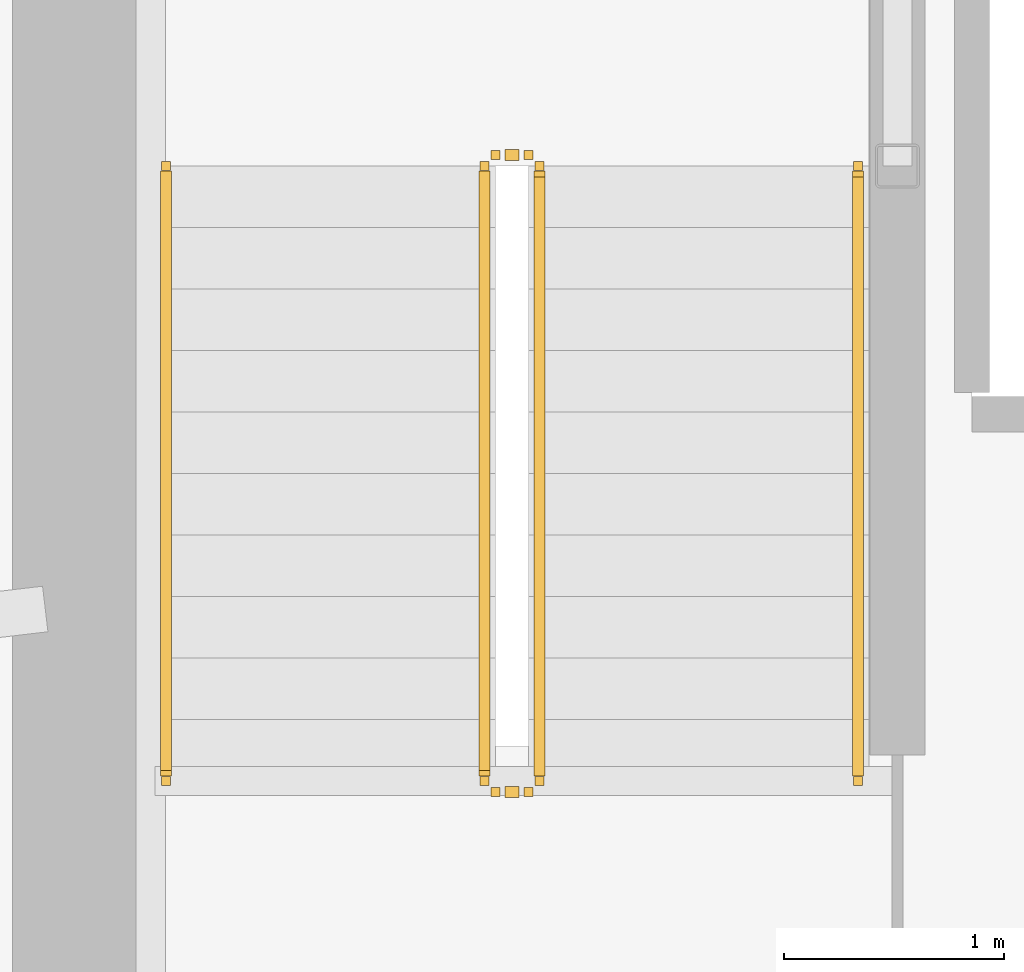
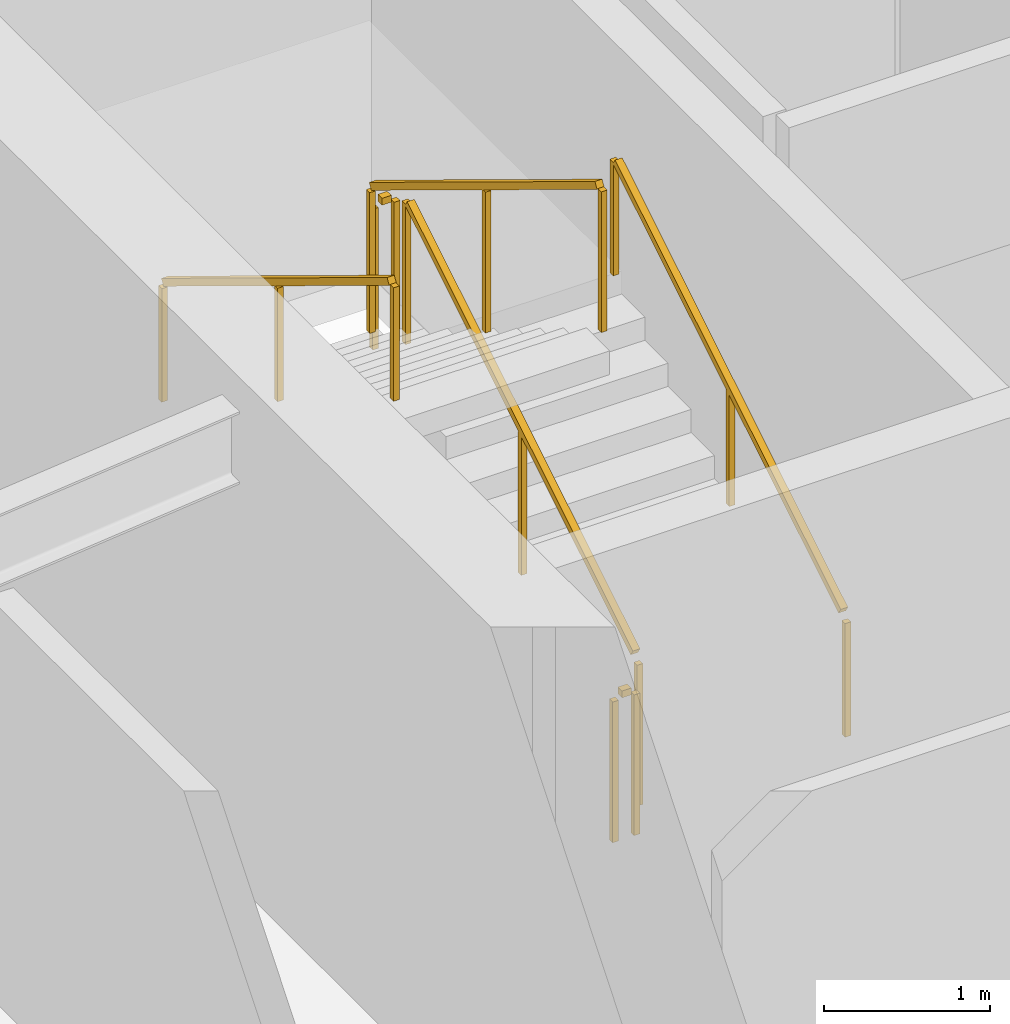
# One storey, part 17 of 20: 6 railings.
"""IFC4 building model written with IfcOpenShell, lengths in metres."""

from ifc_helpers import new_model, si_unit, direction, frame, origin, origin_2d, place, context, subcontext, project, spatial, rectangle, extrude, material, type_object, element, save


model = new_model("IFC4")

# Units and contexts
model_context = context("Model", 3, precision=1e-05, world=origin(), true_north=direction((0.0, 1.0)))
body_context = subcontext(model_context, "Body", "Model", "MODEL_VIEW")
ifc_project = project(units=[si_unit("LENGTHUNIT", "METRE"), si_unit("AREAUNIT", "SQUARE_METRE"), si_unit("VOLUMEUNIT", "CUBIC_METRE"), si_unit("PLANEANGLEUNIT", "RADIAN"), si_unit("MASSUNIT", "GRAM", prefix="KILO")], contexts=[model_context])

# Site, building, storey
site_placement = place(None, origin())
site = spatial("IfcSite", under=ifc_project, at=site_placement, CompositionType="ELEMENT")
building_placement = place(site_placement, origin())
building = spatial("IfcBuilding", under=site, at=building_placement, Name="Kazma Halo Residences", CompositionType="ELEMENT")
storey_placement = place(building_placement, frame((0.0, 0.0, 214.050048828125)))
storey = spatial("IfcBuildingStorey", under=building, at=storey_placement, Name="L54", CompositionType="ELEMENT", Elevation=214.050048828125)

# Railings
ifc_material_1 = material(Name="Painted Steel S355", Category="steel")
railing_type_1 = type_object("IfcRailingType", Name="RLG-STAIR-GRD-1100", PredefinedType="GUARDRAIL", material=ifc_material_1)
railing_1_placement = place(storey_placement, frame((39.550048828125, 39.949951171875, 0.17041015625)))
element("IfcRailing", 1, at=railing_1_placement, inside=storey, type_object=railing_type_1, Name="L54 ST-01 stair guard 1", PredefinedType="GUARDRAIL", context=body_context, shape_type="SweptSolid", body=[
    extrude(rectangle(XDim=0.050048828125, YDim=0.050048828125, at=origin_2d()), frame((0.0, 0.036376953125, 1.09716796875), z_axis=(0.0, 0.854169791009, 0.51999420009), x_axis=(-1.0, 0.0, 0.0)), (0.0, 0.0, 1.0), 3.193115234375),
    extrude(rectangle(XDim=0.0400390625, YDim=0.0400390625, at=origin_2d()), origin(), (0.0, 0.0, 1.0), 1.0380859375),
    extrude(rectangle(XDim=0.0400390625, YDim=0.0400390625, at=origin_2d()), frame((0.0, 1.39990234375, 0.852294921875)), (0.0, 0.0, 1.0), 1.0380859375),
    extrude(rectangle(XDim=0.0400390625, YDim=0.0400390625, at=origin_2d()), frame((0.0, 2.800048828125, 1.70458984375)), (0.0, 0.0, 1.0), 1.0380859375),
])
railing_2_placement = place(storey_placement, frame((39.5, 42.800048828125, 1.875)))
element("IfcRailing", 2, at=railing_2_placement, inside=storey, type_object=railing_type_1, Name="L54 ST-01 stair guard 2", PredefinedType="GUARDRAIL", context=body_context, shape_type="SweptSolid", body=[
    extrude(rectangle(XDim=0.050048828125, YDim=0.050048828125, at=origin_2d()), frame((-0.04248046875, 0.0, 1.0751953125), z_axis=(-1.0, 0.0, 0.0), x_axis=(0.0, -1.0, 0.0)), (0.0, 0.0, 1.0), 0.06494140625),
    extrude(rectangle(XDim=0.0400390625, YDim=0.0400390625, at=origin_2d()), origin(), (0.0, 0.0, 1.0), 1.0380859375),
    extrude(rectangle(XDim=0.0400390625, YDim=0.0400390625, at=origin_2d()), frame((-0.14990234375, 0.0, 0.0)), (0.0, 0.0, 1.0), 1.0380859375),
])
railing_3_placement = place(storey_placement, frame((39.300048828125, 42.75, 2.04541015625)))
element("IfcRailing", 3, at=railing_3_placement, inside=storey, type_object=railing_type_1, Name="L54 ST-01 stair guard 3", PredefinedType="GUARDRAIL", context=body_context, shape_type="SweptSolid", body=[
    extrude(rectangle(XDim=0.050048828125, YDim=0.050048828125, at=origin_2d()), frame((0.0, -0.036376953125, 1.09716796875), z_axis=(0.0, -0.854169791009, 0.51999420009), x_axis=(1.0, 0.0, 0.0)), (0.0, 0.0, 1.0), 3.193115234375),
    extrude(rectangle(XDim=0.0400390625, YDim=0.0400390625, at=origin_2d()), origin(), (0.0, 0.0, 1.0), 1.0380859375),
    extrude(rectangle(XDim=0.0400390625, YDim=0.0400390625, at=origin_2d()), frame((0.0, -1.39990234375, 0.852294921875)), (0.0, 0.0, 1.0), 1.0380859375),
    extrude(rectangle(XDim=0.0400390625, YDim=0.0400390625, at=origin_2d()), frame((0.0, -2.800048828125, 1.70458984375)), (0.0, 0.0, 1.0), 1.0380859375),
])
railing_4_placement = place(storey_placement, frame((39.5, 39.89990234375, 0.0)))
element("IfcRailing", 4, at=railing_4_placement, inside=storey, type_object=railing_type_1, Name="L54 ST-01 stair guard 4", PredefinedType="GUARDRAIL", context=body_context, shape_type="SweptSolid", body=[
    extrude(rectangle(XDim=0.050048828125, YDim=0.050048828125, at=origin_2d()), frame((-0.04248046875, 0.0, 1.0751953125), z_axis=(-1.0, 0.0, 0.0), x_axis=(0.0, -1.0, 0.0)), (0.0, 0.0, 1.0), 0.06494140625),
    extrude(rectangle(XDim=0.0400390625, YDim=0.0400390625, at=origin_2d()), origin(), (0.0, 0.0, 1.0), 1.0380859375),
    extrude(rectangle(XDim=0.0400390625, YDim=0.0400390625, at=origin_2d()), frame((-0.14990234375, 0.0, 0.0)), (0.0, 0.0, 1.0), 1.0380859375),
])
ifc_material_2 = material(Name="Brushed Stainless Steel", Category="steel")
railing_type_2 = type_object("IfcRailingType", Name="RLG-STAIR-HND-900", PredefinedType="HANDRAIL", material=ifc_material_2)
railing_5_placement = place(storey_placement, frame((41.0, 39.949951171875, 0.17041015625)))
element("IfcRailing", 5, at=railing_5_placement, inside=storey, type_object=railing_type_2, Name="L54 ST-01 stair handrail 1", PredefinedType="HANDRAIL", context=body_context, shape_type="SweptSolid", body=[
    extrude(rectangle(XDim=0.050048828125, YDim=0.050048828125, at=origin_2d()), frame((0.0, 0.036376953125, 0.89697265625), z_axis=(0.0, 0.854169791009, 0.51999420009), x_axis=(-1.0, 0.0, 0.0)), (0.0, 0.0, 1.0), 3.193115234375),
    extrude(rectangle(XDim=0.0400390625, YDim=0.0400390625, at=origin_2d()), origin(), (0.0, 0.0, 1.0), 0.837890625),
    extrude(rectangle(XDim=0.0400390625, YDim=0.0400390625, at=origin_2d()), frame((0.0, 1.39990234375, 0.852294921875)), (0.0, 0.0, 1.0), 0.837890625),
    extrude(rectangle(XDim=0.0400390625, YDim=0.0400390625, at=origin_2d()), frame((0.0, 2.800048828125, 1.70458984375)), (0.0, 0.0, 1.0), 0.837890625),
])
railing_6_placement = place(storey_placement, frame((37.85009765625, 42.75, 2.04541015625)))
element("IfcRailing", 6, at=railing_6_placement, inside=storey, type_object=railing_type_2, Name="L54 ST-01 stair handrail 2", PredefinedType="HANDRAIL", context=body_context, shape_type="SweptSolid", body=[
    extrude(rectangle(XDim=0.050048828125, YDim=0.050048828125, at=origin_2d()), frame((0.0, -0.036376953125, 0.89697265625), z_axis=(0.0, -0.854169791009, 0.51999420009), x_axis=(1.0, 0.0, 0.0)), (0.0, 0.0, 1.0), 3.193115234375),
    extrude(rectangle(XDim=0.0400390625, YDim=0.0400390625, at=origin_2d()), origin(), (0.0, 0.0, 1.0), 0.837890625),
    extrude(rectangle(XDim=0.0400390625, YDim=0.0400390625, at=origin_2d()), frame((0.0, -1.39990234375, 0.852294921875)), (0.0, 0.0, 1.0), 0.837890625),
    extrude(rectangle(XDim=0.0400390625, YDim=0.0400390625, at=origin_2d()), frame((0.0, -2.800048828125, 1.70458984375)), (0.0, 0.0, 1.0), 0.837890625),
])

save(model, "model.ifc")
